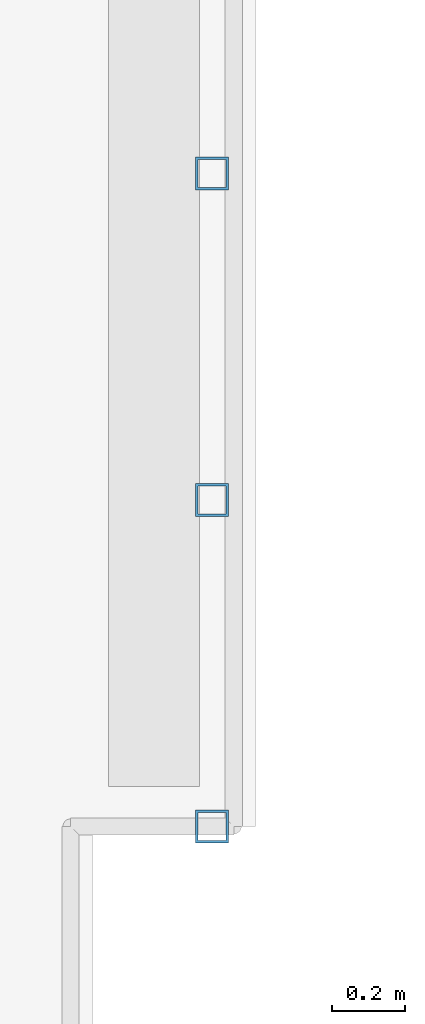
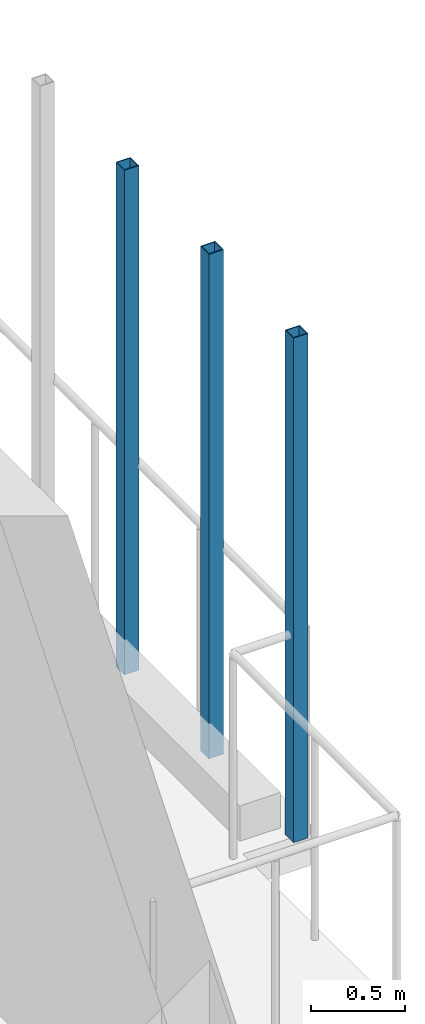
# One storey, part 17 of 73: 3 members.
"""IFC4 building model written with IfcOpenShell, lengths in metres."""

from ifc_helpers import new_model, si_unit, derived_unit, direction, frame, origin, origin_2d, place, context, subcontext, project, spatial, hollow_rectangle, extrude, material, material_profile, profile_set, type_object, element, save


model = new_model("IFC4")

# Units and contexts
model_context = context("Model", 3, precision=1e-05, world=origin(), true_north=direction((0.0, 1.0)))
body_context = subcontext(model_context, "Body", "Model", "MODEL_VIEW")
ifc_project = project(units=[si_unit("LENGTHUNIT", "METRE"), si_unit("AREAUNIT", "SQUARE_METRE"), si_unit("VOLUMEUNIT", "CUBIC_METRE"), si_unit("PLANEANGLEUNIT", "RADIAN"), si_unit("MASSUNIT", "GRAM", prefix="KILO"), derived_unit("THERMALTRANSMITTANCEUNIT", [(si_unit("MASSUNIT", "GRAM", prefix="KILO"), 1), (si_unit("TIMEUNIT", "SECOND"), -3), (si_unit("THERMODYNAMICTEMPERATUREUNIT", "KELVIN"), -1)])], contexts=[model_context])

# Site, building, storey
site_placement = place(None, origin())
site = spatial("IfcSite", under=ifc_project, at=site_placement, CompositionType="ELEMENT")
building_placement = place(site_placement, origin())
building = spatial("IfcBuilding", under=site, at=building_placement, Name="Ochrekiln Boulevard Commons", CompositionType="ELEMENT")
storey_placement = place(building_placement, frame((0.0, 0.0, 8.574951171875)))
storey = spatial("IfcBuildingStorey", under=building, at=storey_placement, Name="L02", CompositionType="ELEMENT", Elevation=8.574951171875)

# Members
ifc_material = material(Name="Steel A500 Grade C", Category="steel")
ifc_material_profile = material_profile(ifc_material, hollow_rectangle(XDim=0.090087890625, YDim=0.090087890625, WallThickness=0.00634765625, at=origin_2d()), Name="HSS90X90X6.4")
ifc_profile_set = profile_set([ifc_material_profile], Name="Steel A500 Grade C")
member_type = type_object("IfcMemberType", Name="MEM-PST-HSS90", PredefinedType="POST", material=ifc_profile_set)
for number, where, z_axis, x_axis, name in (
    (1, (23.47998046875, 78.300048828125, 0.0), (0.0, 0.0, 1.0), (1.0, 0.0, 0.0), "Block A L02 Slim Vertical Balcony Post (45)"),
    (2, (23.47998046875, 79.199951171875, 0.0), (0.0, 0.0, 1.0), (1.0, 0.0, 0.0), "Block A L02 Slim Vertical Balcony Post (46)"),
    (3, (23.47998046875, 80.10009765625, 0.0), (0.0, 0.0, 1.0), (1.0, 0.0, 0.0), "Block A L02 Slim Vertical Balcony Post (47)"),
):
    element("IfcMember", number, at=place(storey_placement, frame(where, z_axis=z_axis, x_axis=x_axis)), inside=storey, type_object=member_type, Name=name, PredefinedType="POST", context=body_context, shape_type="SweptSolid", body=[
        extrude(hollow_rectangle(XDim=0.090087890625, YDim=0.090087890625, WallThickness=0.00634765625, at=origin_2d()), origin(), (0.0, 0.0, 1.0), 3.280029296875),
    ])

save(model, "model.ifc")
